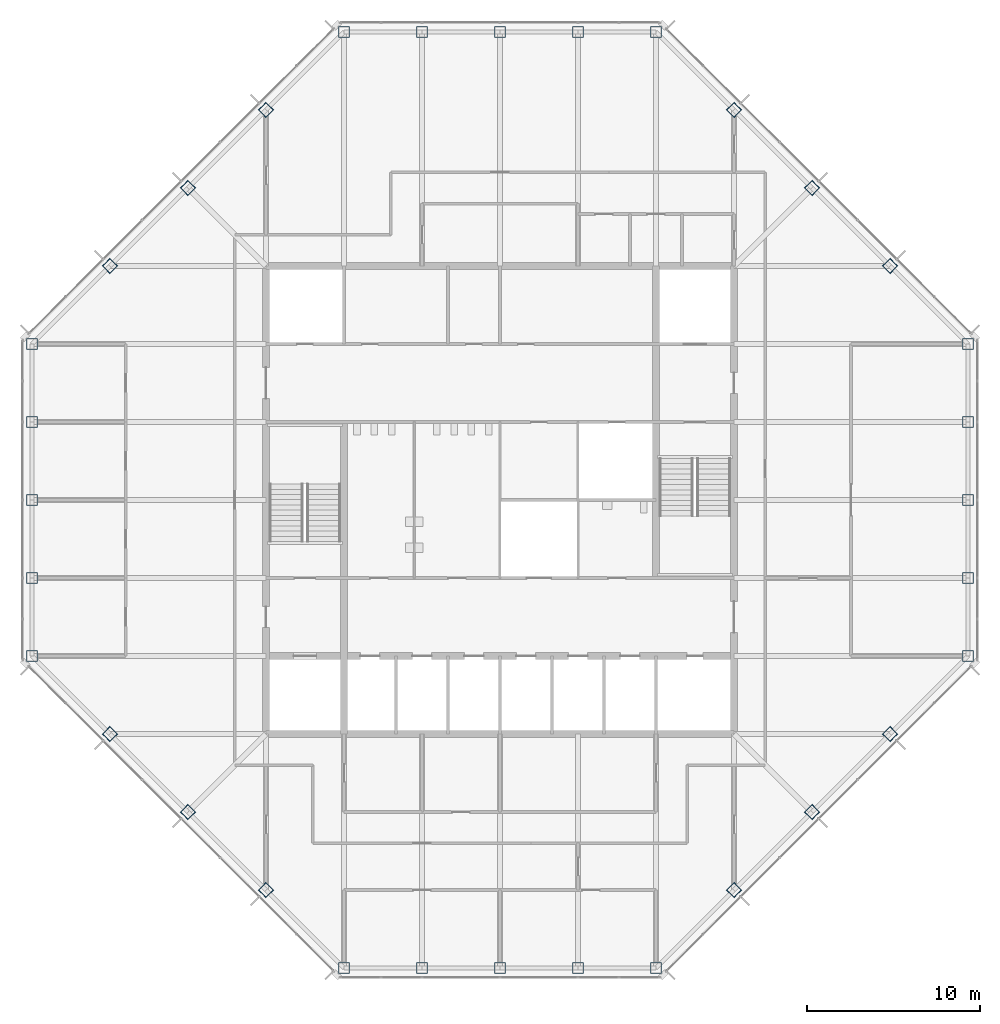
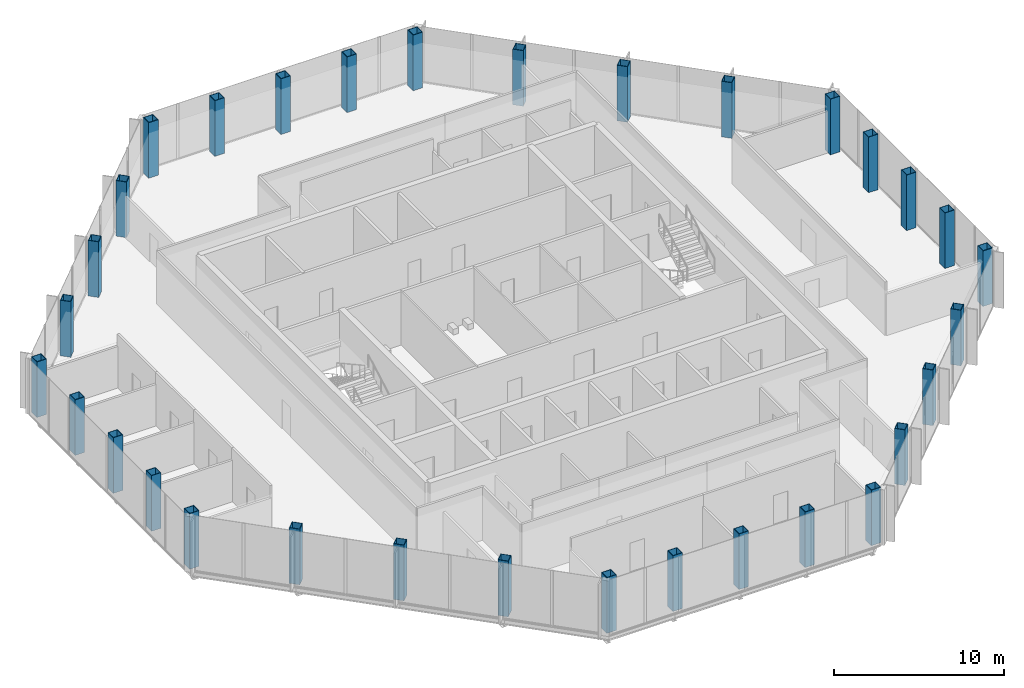
# One storey, part 1 of 14: 32 columns.
"""IFC4 building model written with IfcOpenShell, lengths in metres."""

import ifcopenshell
import ifcopenshell.guid

model = None  # the IFC model being written
_history = None  # IfcOwnerHistory: only IFC2X3 demands one
_inside = {}  # id of a spatial element -> (the spatial element, [elements in it])
_under = {}  # id of a project, library or spatial element -> (it, [spatial elements below it])
_declared = {}  # id of a project -> (the project, [libraries it declares])
_typed = {}  # id of a type object -> (the type object, [elements of that type])
_made_of = {}  # id of a material, layer set ... -> (it, [elements and type objects made of it])


def new_model(schema):
    """Start an empty IFC model of exactly this schema.

    Asked for "IFC4X3", IfcOpenShell would pick the latest addendum, in which some entities
    have other attributes; the version numbers below select the first issue.
    IFC2X3 requires an IfcOwnerHistory on every rooted entity: one is made here for all.
    """
    global model, _history
    if schema == "IFC4X3":
        model = ifcopenshell.file(schema_version=(4, 3, 0, 0))
    else:
        model = ifcopenshell.file(schema=schema)
    _inside.clear()
    _under.clear()
    _declared.clear()
    _typed.clear()
    _made_of.clear()
    _history = None
    if model.schema == "IFC2X3":
        org = make("IfcOrganization", Name="unknown")
        user = make(
            "IfcPersonAndOrganization",
            ThePerson=make("IfcPerson", FamilyName="unknown"),
            TheOrganization=org,
        )
        app = make(
            "IfcApplication",
            ApplicationDeveloper=org,
            Version="unknown",
            ApplicationFullName="unknown",
            ApplicationIdentifier="unknown",
        )
        _history = make(
            "IfcOwnerHistory",
            OwningUser=user,
            OwningApplication=app,
            ChangeAction="ADDED",
            CreationDate=0,
        )
    return model


def make(cls, **values):
    """One entity of the class cls with the attributes given. An attribute that is None is left unset."""
    return model.create_entity(
        cls, **{name: value for name, value in values.items() if value is not None}
    )


def rooted(cls, **values):
    """An entity with a GlobalId (a new one), such as an element, a storey or a relation."""
    return make(cls, GlobalId=ifcopenshell.guid.new(), OwnerHistory=_history, **values)


def si_unit(unit_type, name, prefix=None):
    """IfcSIUnit, for example si_unit("LENGTHUNIT", "METRE", prefix="MILLI")."""
    return make("IfcSIUnit", UnitType=unit_type, Prefix=prefix, Name=name)


def assignment(units):
    """IfcUnitAssignment: the units of a project."""
    return None if units is None else make("IfcUnitAssignment", Units=units)


def point(xyz):
    """IfcCartesianPoint."""
    return None if xyz is None else make("IfcCartesianPoint", Coordinates=xyz)


def direction(xyz):
    """IfcDirection."""
    return None if xyz is None else make("IfcDirection", DirectionRatios=xyz)


def frame(location, z_axis=None, x_axis=None):
    """IfcAxis2Placement3D, a coordinate frame: its origin and axes. An axis left out is left unset."""
    return make(
        "IfcAxis2Placement3D",
        Location=point(location),
        Axis=direction(z_axis),
        RefDirection=direction(x_axis),
    )


def frame_2d(location, x_axis=None):
    """IfcAxis2Placement2D, a coordinate frame in the plane: its origin and x axis."""
    return make(
        "IfcAxis2Placement2D", Location=point(location), RefDirection=direction(x_axis)
    )


def origin():
    """The frame at (0, 0, 0) with its axes left unset."""
    return frame((0.0, 0.0, 0.0))


def origin_2d():
    """The frame at (0, 0) in the plane with its x axis left unset."""
    return frame_2d((0.0, 0.0))


def place(relative_to, where):
    """IfcLocalPlacement: puts the frame where relative to a parent placement (None: the world)."""
    return make(
        "IfcLocalPlacement", PlacementRelTo=relative_to, RelativePlacement=where
    )


def context(
    kind, dimensions, precision=None, world=None, true_north=None, identifier=None
):
    """IfcGeometricRepresentationContext, for example the 3D "Model" context."""
    return make(
        "IfcGeometricRepresentationContext",
        ContextIdentifier=identifier,
        ContextType=kind,
        CoordinateSpaceDimension=dimensions,
        Precision=precision,
        WorldCoordinateSystem=world,
        TrueNorth=true_north,
    )


def subcontext(parent, identifier, kind, view, scale=None):
    """IfcGeometricRepresentationSubContext, for example "Body" below "Model"."""
    return make(
        "IfcGeometricRepresentationSubContext",
        ContextIdentifier=identifier,
        ContextType=kind,
        ParentContext=parent,
        TargetScale=scale,
        TargetView=view,
    )


def project(units=None, contexts=None):
    """IfcProject with its units and contexts."""
    return rooted(
        "IfcProject",
        Name="project",
        RepresentationContexts=contexts,
        UnitsInContext=assignment(units),
    )


def spatial(cls, under=None, at=None, **own):
    """A site, building, storey or space (cls), placed at a placement, below another one or the project."""
    s = rooted(cls, ObjectPlacement=at, **own)
    if under is not None:
        _under.setdefault(under.id(), (under, []))[1].append(s)
    return s


def profile(cls, at=None, kind="AREA", **sizes):
    """A parametric profile (cls). Its sizes go by their IFC names, for example OverallWidth=200.0."""
    return make(cls, ProfileType=kind, Position=at, **sizes)


def hollow_rectangle(**sizes):
    """IfcRectangleHollowProfileDef."""
    return profile("IfcRectangleHollowProfileDef", **sizes)


def extrude(swept, where, along, depth):
    """IfcExtrudedAreaSolid: the profile swept, set in the frame where, extruded along a direction by depth."""
    return make(
        "IfcExtrudedAreaSolid",
        SweptArea=swept,
        Position=where,
        ExtrudedDirection=direction(along),
        Depth=depth,
    )


def shape(context_of_items, identifier, shape_type, items):
    """IfcShapeRepresentation: the items that make up one representation, for example the "Body"."""
    return make(
        "IfcShapeRepresentation",
        ContextOfItems=context_of_items,
        RepresentationIdentifier=identifier,
        RepresentationType=shape_type,
        Items=items,
    )


def material(Name=None, Category=None):
    """IfcMaterial."""
    return make("IfcMaterial", Name=Name, Category=Category)


def material_profile(
    of_material, cross_section, Name=None, Category=None, Priority=None
):
    """IfcMaterialProfile: a cross section and its material."""
    return make(
        "IfcMaterialProfile",
        Name=Name,
        Material=of_material,
        Profile=cross_section,
        Priority=Priority,
        Category=Category,
    )


def profile_set(profiles, Name=None, composite=None):
    """IfcMaterialProfileSet."""
    return make(
        "IfcMaterialProfileSet",
        Name=Name,
        MaterialProfiles=profiles,
        CompositeProfile=composite,
    )


def made_of(thing, what):
    """Note that an element or type object is made of a material, layer set ...; save() writes the relation."""
    if what is not None:
        _made_of.setdefault(what.id(), (what, []))[1].append(thing)
    return thing


def type_object(cls, material=None, **own):
    """A type object (cls), such as IfcWallType, which elements share."""
    return made_of(rooted(cls, **own), material)


def element(
    cls,
    number,
    at=None,
    inside=None,
    cuts=None,
    type_object=None,
    material=None,
    context=None,
    identifier="Body",
    shape_type=None,
    held_by="IfcProductDefinitionShape",
    body=None,
    shapes=None,
    **own,
):
    """One element of the class cls, such as IfcWall. Its Tag is "e" and its number.

    at: its placement. inside: the storey or other place that contains it. cuts: it is an
    opening in that element (IfcRelVoidsElement). A single representation is given by context,
    identifier, shape_type and body (its items); several are given by shapes. held_by: the class
    of the entity that holds the representations. save() writes the other relations.
    """
    e = rooted(cls, Tag="e%d" % number, ObjectPlacement=at, **own)
    if body is not None:
        shapes = [shape(context, identifier, shape_type, body)]
    if shapes is not None:
        e.Representation = make(held_by, Representations=shapes)
    if inside is not None:
        _inside.setdefault(inside.id(), (inside, []))[1].append(e)
    if cuts is not None:
        rooted(
            "IfcRelVoidsElement", RelatingBuildingElement=cuts, RelatedOpeningElement=e
        )
    if type_object is not None:
        _typed.setdefault(type_object.id(), (type_object, []))[1].append(e)
    return made_of(e, material)


def aggregate(whole, parts):
    """IfcRelAggregates: a whole, such as a stair, and the parts it consists of."""
    return rooted("IfcRelAggregates", RelatingObject=whole, RelatedObjects=parts)


def save(model, path):
    """Write the relations noted so far, then the file.

    IfcRelAggregates (storeys below a building ...), IfcRelContainedInSpatialStructure (elements
    in a storey), IfcRelDefinesByType, IfcRelAssociatesMaterial and IfcRelDeclares: one each for
    every whole, place, type object, material and project.
    """
    for whole, parts in _under.values():
        aggregate(whole, parts)
    for where, things in _inside.values():
        rooted(
            "IfcRelContainedInSpatialStructure",
            RelatedElements=things,
            RelatingStructure=where,
        )
    for kind, things in _typed.values():
        rooted("IfcRelDefinesByType", RelatedObjects=things, RelatingType=kind)
    for what, things in _made_of.values():
        rooted("IfcRelAssociatesMaterial", RelatedObjects=things, RelatingMaterial=what)
    for by, libraries in _declared.values():
        rooted("IfcRelDeclares", RelatingContext=by, RelatedDefinitions=libraries)
    model.write(path)


model = new_model("IFC4")

# Units and contexts
model_context = context("Model", 3, precision=1e-05, world=origin(), true_north=direction((0.0, 1.0)))
body_context = subcontext(model_context, "Body", "Model", "MODEL_VIEW")
ifc_project = project(units=[si_unit("LENGTHUNIT", "METRE"), si_unit("AREAUNIT", "SQUARE_METRE"), si_unit("VOLUMEUNIT", "CUBIC_METRE"), si_unit("PLANEANGLEUNIT", "RADIAN"), si_unit("MASSUNIT", "GRAM", prefix="KILO")], contexts=[model_context])

# Site, building, storey
site_placement = place(None, origin())
site = spatial("IfcSite", under=ifc_project, at=site_placement, CompositionType="ELEMENT")
building_placement = place(site_placement, origin())
building = spatial("IfcBuilding", under=site, at=building_placement, Name="Corais Broadcast Tower", CompositionType="ELEMENT")
storey_placement = place(building_placement, frame((0.0, 0.0, 230.60009765625)))
storey = spatial("IfcBuildingStorey", under=building, at=storey_placement, Name="L53", CompositionType="ELEMENT", Elevation=230.60009765625)

# Columns
ifc_material = material(Name="Steel ASTM A572 Grade 50", Category="steel")
ifc_material_profile = material_profile(ifc_material, hollow_rectangle(XDim=0.64990234375, YDim=0.64990234375, WallThickness=0.031982421875, at=origin_2d()), Name="BOX 650x650x32")
ifc_profile_set = profile_set([ifc_material_profile], Name="Steel ASTM A572 Grade 50")
column_type = type_object("IfcColumnType", Name="Column BOX 650x650x32", PredefinedType="COLUMN", material=ifc_profile_set)
for number, where, z_axis, x_axis, name in (
    (1, (18.0, 0.0, 0.0), (0.0, 0.0, 1.0), (1.0, 0.0, 0.0), "C6 A/7"),
    (2, (22.5, 0.0, 0.0), (0.0, 0.0, 1.0), (1.0, 0.0, 0.0), "C6 A/8"),
    (3, (27.0, 0.0, 0.0), (0.0, 0.0, 1.0), (1.0, 0.0, 0.0), "C6 A/9"),
    (4, (31.5, 0.0, 0.0), (0.0, 0.0, 1.0), (1.0, 0.0, 0.0), "C6 A/10"),
    (5, (36.0, 0.0, 0.0), (0.0, 0.0, 1.0), (1.0, 0.0, 0.0), "C6 A/11"),
    (6, (54.0, 18.0, 0.0), (0.0, 0.0, 1.0), (1.0, 0.0, 0.0), "C6 E/15"),
    (7, (54.0, 22.5, 0.0), (0.0, 0.0, 1.0), (1.0, 0.0, 0.0), "C6 F/15"),
    (8, (54.0, 27.0, 0.0), (0.0, 0.0, 1.0), (1.0, 0.0, 0.0), "C6 G/15"),
    (9, (54.0, 31.5, 0.0), (0.0, 0.0, 1.0), (1.0, 0.0, 0.0), "C6 H/15"),
    (10, (54.0, 36.0, 0.0), (0.0, 0.0, 1.0), (1.0, 0.0, 0.0), "C6 J/15"),
    (11, (36.0, 54.0, 0.0), (0.0, 0.0, 1.0), (1.0, 0.0, 0.0), "C6 N/11"),
    (12, (31.5, 54.0, 0.0), (0.0, 0.0, 1.0), (1.0, 0.0, 0.0), "C6 N/10"),
    (13, (27.0, 54.0, 0.0), (0.0, 0.0, 1.0), (1.0, 0.0, 0.0), "C6 N/9"),
    (14, (22.5, 54.0, 0.0), (0.0, 0.0, 1.0), (1.0, 0.0, 0.0), "C6 N/8"),
    (15, (18.0, 54.0, 0.0), (0.0, 0.0, 1.0), (1.0, 0.0, 0.0), "C6 N/7"),
    (16, (0.0, 36.0, 0.0), (0.0, 0.0, 1.0), (1.0, 0.0, 0.0), "C6 J/3"),
    (17, (0.0, 31.5, 0.0), (0.0, 0.0, 1.0), (1.0, 0.0, 0.0), "C6 H/3"),
    (18, (0.0, 27.0, 0.0), (0.0, 0.0, 1.0), (1.0, 0.0, 0.0), "C6 G/3"),
    (19, (0.0, 22.5, 0.0), (0.0, 0.0, 1.0), (1.0, 0.0, 0.0), "C6 F/3"),
    (20, (0.0, 18.0, 0.0), (0.0, 0.0, 1.0), (1.0, 0.0, 0.0), "C6 E/3"),
    (21, (13.5, 4.5, 0.0), (0.0, 0.0, 1.0), (0.707106781187, 0.707106781187, 0.0), "C6 B/6"),
    (22, (9.0, 9.0, 0.0), (0.0, 0.0, 1.0), (0.707106781187, 0.707106781187, 0.0), "C6 C/5"),
    (23, (4.5, 13.5, 0.0), (0.0, 0.0, 1.0), (0.707106781187, 0.707106781187, 0.0), "C6 D/4"),
    (24, (40.5, 4.5, 0.0), (0.0, 0.0, 1.0), (0.707106781187, 0.707106781187, 0.0), "C6 B/12"),
    (25, (45.0, 9.0, 0.0), (0.0, 0.0, 1.0), (0.707106781187, 0.707106781187, 0.0), "C6 C/13"),
    (26, (49.5, 13.5, 0.0), (0.0, 0.0, 1.0), (0.707106781187, 0.707106781187, 0.0), "C6 D/14"),
    (27, (49.5, 40.5, 0.0), (0.0, 0.0, 1.0), (0.707106781187, 0.707106781187, 0.0), "C6 K/14"),
    (28, (45.0, 45.0, 0.0), (0.0, 0.0, 1.0), (0.707106781187, 0.707106781187, 0.0), "C6 L/13"),
    (29, (40.5, 49.5, 0.0), (0.0, 0.0, 1.0), (0.707106781187, 0.707106781187, 0.0), "C6 M/12"),
    (30, (4.5, 40.5, 0.0), (0.0, 0.0, 1.0), (0.707106781187, 0.707106781187, 0.0), "C6 K/4"),
    (31, (9.0, 45.0, 0.0), (0.0, 0.0, 1.0), (0.707106781187, 0.707106781187, 0.0), "C6 L/5"),
    (32, (13.5, 49.5, 0.0), (0.0, 0.0, 1.0), (0.707106781187, 0.707106781187, 0.0), "C6 M/6"),
):
    element("IfcColumn", number, at=place(storey_placement, frame(where, z_axis=z_axis, x_axis=x_axis)), inside=storey, type_object=column_type, Name=name, PredefinedType="COLUMN", context=body_context, shape_type="SweptSolid", body=[
        extrude(hollow_rectangle(XDim=0.64990234375, YDim=0.64990234375, WallThickness=0.031982421875, at=origin_2d()), origin(), (0.0, 0.0, 1.0), 4.0),
    ])

save(model, "model.ifc")
